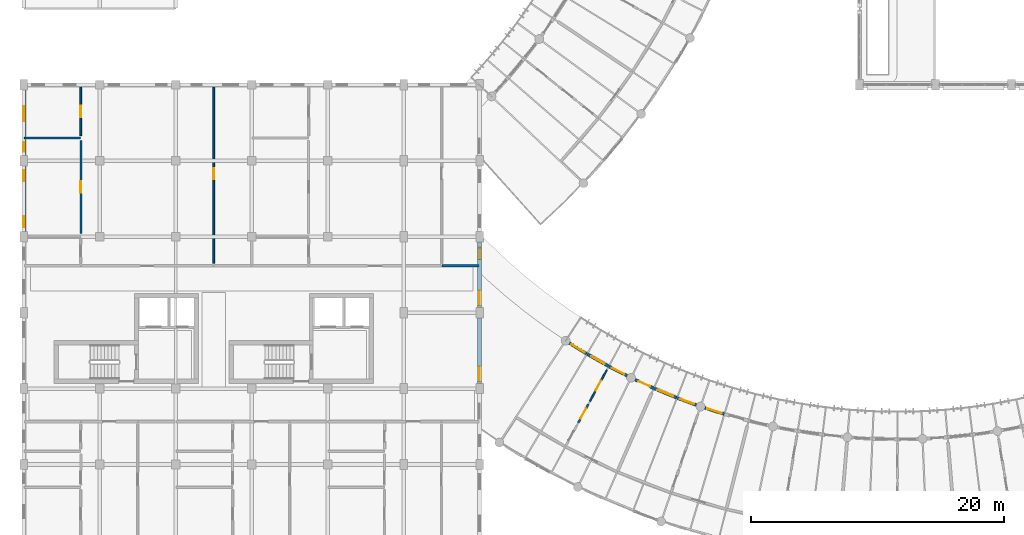
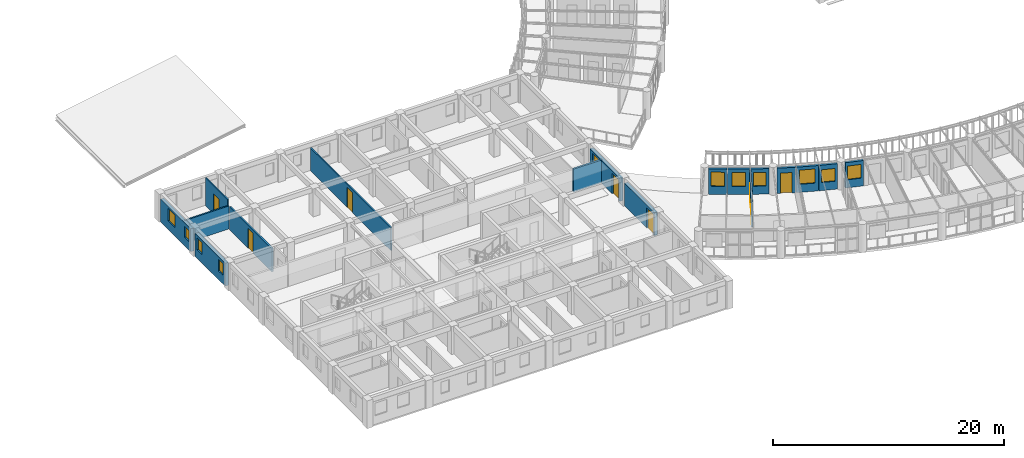
# One storey, part 90 of 137: 18 walls, 11 windows, 8 doors, 19 openings.
"""IFC4 building model written with IfcOpenShell, lengths in metres."""

from ifc_helpers import new_model, si_unit, direction, frame, frame_2d, origin, place, context, subcontext, project, spatial, rectangle, extrude, material, layer, layer_set, type_object, element, fill, save


model = new_model("IFC4")

# Units and contexts
model_context = context("Model", 3, precision=1e-05, world=origin(), true_north=direction((0.0, 1.0)))
body_context = subcontext(model_context, "Body", "Model", "MODEL_VIEW")
ifc_project = project(units=[si_unit("LENGTHUNIT", "METRE"), si_unit("AREAUNIT", "SQUARE_METRE"), si_unit("VOLUMEUNIT", "CUBIC_METRE"), si_unit("PLANEANGLEUNIT", "RADIAN"), si_unit("MASSUNIT", "GRAM", prefix="KILO"), si_unit("POWERUNIT", "WATT"), si_unit("THERMODYNAMICTEMPERATUREUNIT", "KELVIN")], contexts=[model_context])

# Site, building, storey
site_placement = place(None, origin())
site = spatial("IfcSite", under=ifc_project, at=site_placement, CompositionType="ELEMENT")
building_placement = place(site_placement, origin())
building = spatial("IfcBuilding", under=site, at=building_placement, Name="Ruvembo Vaulted Housing Court", CompositionType="ELEMENT")
storey_placement = place(building_placement, frame((0.0, 0.0, 4.5)))
storey = spatial("IfcBuildingStorey", under=building, at=storey_placement, Name="L01", CompositionType="ELEMENT", Elevation=4.5)

# Wall
ifc_material_1 = material(Name="Concrete Blockwork 190", Category="masonry")
ifc_layer_1 = layer(ifc_material_1, 0.18994140625, Name="Concrete Blockwork 190")
ifc_layer_set_1 = layer_set([ifc_layer_1], Name="Concrete Blockwork 190")
wall_type_1 = type_object("IfcWallType", Name="WL-CORR-190", PredefinedType="SOLIDWALL", material=ifc_layer_set_1)
wall_1_placement = place(storey_placement, frame((33.0400390625, 27.699951171875, 0.0), z_axis=(0.0, 0.0, 1.0), x_axis=(1.0, 0.0, 0.0)))
element("IfcWall", 1, at=wall_1_placement, inside=storey, type_object=wall_type_1, Name="L01 Flat A-L01-N2 Corridor Wall 2 WL-INT-L01-00224", PredefinedType="SOLIDWALL", context=body_context, shape_type="SweptSolid", body=[
    extrude(rectangle(XDim=2.919921875, YDim=0.18994140625, at=frame_2d((1.4599609375, 0.0))), origin(), (0.0, 0.0, 1.0), 2.427001953125),
])

# Wall, opening, window
ifc_material_2 = material(Name="Rendered Masonry 235", Category="masonry")
ifc_layer_2 = layer(ifc_material_2, 0.235107421875, Name="Rendered Masonry 235")
ifc_layer_set_2 = layer_set([ifc_layer_2], Name="Rendered Masonry 235")
wall_type_2 = type_object("IfcWallType", Name="WL-EXT-235", PredefinedType="STANDARD", material=ifc_layer_set_2)
wall_2_placement = place(storey_placement, frame((43.090576171875, 21.600341796875, 0.0), z_axis=(0.0, 0.0, 1.0), x_axis=(0.848934138406, -0.528498655296, 0.0)))
wall_2 = element("IfcWall", 2, at=wall_2_placement, inside=storey, type_object=wall_type_2, Name="Scoop SC2 L01 Concave Balcony Wall 0", PredefinedType="STANDARD", context=body_context, shape_type="SweptSolid", body=[
    extrude(rectangle(XDim=1.60986328125, YDim=0.235107421875, at=frame_2d((0.804931640625, 0.0))), origin(), (0.0, 0.0, 1.0), 2.68408203125),
])
opening_1_placement = place(wall_2_placement, frame((0.205078125, 0.0, 0.85009765625)))
opening_1 = element("IfcOpeningElement", 3, at=opening_1_placement, cuts=wall_2, Name="Opening W14", PredefinedType="OPENING", context=body_context, shape_type="SweptSolid", body=[
    extrude(rectangle(XDim=1.199951171875, YDim=1.5, at=frame_2d((0.60009765625, 0.75))), frame((0.0, 0.12744140625, 0.0), z_axis=(0.0, -1.0, 0.0), x_axis=(1.0, 0.0, 0.0)), (0.0, 0.0, 1.0), 0.255126953125),
])
ifc_material_3 = material(Name="Double Solar-Control Glazing in Aluminium Frame", Category="aluminium")
window_type_1 = type_object("IfcWindowType", Name="WIN-1200x1500", PartitioningType="SINGLE_PANEL", PredefinedType="WINDOW", material=ifc_material_3)
window_1_placement = place(opening_1_placement, origin())
window_1 = element("IfcWindow", 4, at=window_1_placement, inside=storey, type_object=window_type_1, Name="Scoop SC2 L01 Concave Window 0", OverallHeight=1.5, OverallWidth=1.199951171875, PartitioningType="SINGLE_PANEL", PredefinedType="WINDOW", context=body_context, shape_type="SweptSolid", body=[
    extrude(rectangle(XDim=1.199951171875, YDim=1.5, at=frame_2d((0.60009765625, 0.75))), frame((0.0, 0.030029296875, 0.0), z_axis=(0.0, -1.0, 0.0), x_axis=(1.0, 0.0, 0.0)), (0.0, 0.0, 1.0), 0.06005859375),
])
fill(opening_1, window_1)

wall_3_placement = place(storey_placement, frame((44.49169921875, 20.72900390625, 0.0), z_axis=(0.0, 0.0, 1.0), x_axis=(0.86993400964, -0.493168144623, 0.0)))
wall_3 = element("IfcWall", 5, at=wall_3_placement, inside=storey, type_object=wall_type_2, Name="Scoop SC2 L01 Concave Balcony Wall 1", PredefinedType="STANDARD", context=body_context, shape_type="SweptSolid", body=[
    extrude(rectangle(XDim=1.940185546875, YDim=0.235107421875, at=frame_2d((0.97021484375, 0.0))), origin(), (0.0, 0.0, 1.0), 2.68408203125),
])
opening_2_placement = place(wall_3_placement, frame((0.3701171875, 0.0, 0.85009765625)))
opening_2 = element("IfcOpeningElement", 6, at=opening_2_placement, cuts=wall_3, Name="Opening W14", PredefinedType="OPENING", context=body_context, shape_type="SweptSolid", body=[
    extrude(rectangle(XDim=1.199951171875, YDim=1.5, at=frame_2d((0.60009765625, 0.75))), frame((0.0, 0.12744140625, 0.0), z_axis=(0.0, -1.0, 0.0), x_axis=(1.0, 0.0, 0.0)), (0.0, 0.0, 1.0), 0.255126953125),
])
window_2_placement = place(opening_2_placement, origin())
window_2 = element("IfcWindow", 7, at=window_2_placement, inside=storey, type_object=window_type_1, Name="Scoop SC2 L01 Concave Window 1", OverallHeight=1.5, OverallWidth=1.199951171875, PartitioningType="SINGLE_PANEL", PredefinedType="WINDOW", context=body_context, shape_type="SweptSolid", body=[
    extrude(rectangle(XDim=1.199951171875, YDim=1.5, at=frame_2d((0.60009765625, 0.75))), frame((0.0, 0.030029296875, 0.0), z_axis=(0.0, -1.0, 0.0), x_axis=(1.0, 0.0, 0.0)), (0.0, 0.0, 1.0), 0.06005859375),
])
fill(opening_2, window_2)

wall_4_placement = place(storey_placement, frame((46.214599609375, 19.75341796875, 0.0), z_axis=(0.0, 0.0, 1.0), x_axis=(0.889553696252, -0.456830626693, 0.0)))
wall_4 = element("IfcWall", 8, at=wall_4_placement, inside=storey, type_object=wall_type_2, Name="Scoop SC2 L01 Concave Balcony Wall 2", PredefinedType="STANDARD", context=body_context, shape_type="SweptSolid", body=[
    extrude(rectangle(XDim=1.610107421875, YDim=0.235107421875, at=frame_2d((0.80517578125, 0.0))), origin(), (0.0, 0.0, 1.0), 2.68408203125),
])
opening_3_placement = place(wall_4_placement, frame((0.255126953125, 0.0, 0.85009765625)))
opening_3 = element("IfcOpeningElement", 9, at=opening_3_placement, cuts=wall_4, Name="Opening W10", PredefinedType="OPENING", context=body_context, shape_type="SweptSolid", body=[
    extrude(rectangle(XDim=1.10009765625, YDim=1.449951171875, at=frame_2d((0.550048828125, 0.72509765625))), frame((0.0, 0.12744140625, 0.0), z_axis=(0.0, -1.0, 0.0), x_axis=(1.0, 0.0, 0.0)), (0.0, 0.0, 1.0), 0.255126953125),
])
window_type_2 = type_object("IfcWindowType", Name="WIN-1100x1450", PartitioningType="SINGLE_PANEL", PredefinedType="WINDOW", material=ifc_material_3)
window_3_placement = place(opening_3_placement, origin())
window_3 = element("IfcWindow", 10, at=window_3_placement, inside=storey, type_object=window_type_2, Name="Scoop SC2 L01 Concave Window 2", OverallHeight=1.449951171875, OverallWidth=1.10009765625, PartitioningType="SINGLE_PANEL", PredefinedType="WINDOW", context=body_context, shape_type="SweptSolid", body=[
    extrude(rectangle(XDim=1.10009765625, YDim=1.449951171875, at=frame_2d((0.550048828125, 0.72509765625))), frame((0.0, 0.030029296875, 0.0), z_axis=(0.0, -1.0, 0.0), x_axis=(1.0, 0.0, 0.0)), (0.0, 0.0, 1.0), 0.06005859375),
])
fill(opening_3, window_3)

# Wall, opening, door
wall_5_placement = place(storey_placement, frame((48.27587890625, 18.7109375, 0.0), z_axis=(0.0, 0.0, 1.0), x_axis=(0.907630651946, -0.419769698344, 0.0)))
wall_5 = element("IfcWall", 11, at=wall_5_placement, inside=storey, type_object=wall_type_2, Name="Scoop SC2 L01 Concave Balcony Wall 3", PredefinedType="STANDARD", context=body_context, shape_type="SweptSolid", body=[
    extrude(rectangle(XDim=1.60986328125, YDim=0.235107421875, at=frame_2d((0.804931640625, 0.0))), origin(), (0.0, 0.0, 1.0), 2.68408203125),
])
opening_4_placement = place(wall_5_placement, frame((0.304931640625, 0.0, 0.0)))
opening_4 = element("IfcOpeningElement", 12, at=opening_4_placement, cuts=wall_5, Name="Opening BD1", PredefinedType="OPENING", context=body_context, shape_type="SweptSolid", body=[
    extrude(rectangle(XDim=1.0, YDim=2.14990234375, at=frame_2d((0.5, 1.074951171875))), frame((0.0, 0.12744140625, 0.0), z_axis=(0.0, -1.0, 0.0), x_axis=(1.0, 0.0, 0.0)), (0.0, 0.0, 1.0), 0.255126953125),
])
ifc_material_4 = material(Name="Thermally Broken Glazed Aluminium", Category="aluminium")
door_type_1 = type_object("IfcDoorType", Name="DR-BAL-1000x2150", OperationType="NOTDEFINED", PredefinedType="DOOR", material=ifc_material_4)
door_1_placement = place(opening_4_placement, origin())
door_1 = element("IfcDoor", 13, at=door_1_placement, inside=storey, type_object=door_type_1, Name="Scoop SC2 L01 Balcony Door 3", OperationType="SINGLE_SWING_RIGHT", OverallHeight=2.14990234375, OverallWidth=1.0, PredefinedType="DOOR", context=body_context, shape_type="SweptSolid", body=[
    extrude(rectangle(XDim=1.0, YDim=2.14990234375, at=frame_2d((0.5, 1.074951171875))), frame((0.0, 0.02490234375, 0.0), z_axis=(0.0, -1.0, 0.0), x_axis=(1.0, 0.0, 0.0)), (0.0, 0.0, 1.0), 0.050048828125),
])
fill(opening_4, door_1)

# Wall, opening, window
wall_6_placement = place(storey_placement, frame((49.773681640625, 18.019287109375, 0.0), z_axis=(0.0, 0.0, 1.0), x_axis=(0.92414555515, -0.382040564465, 0.0)))
wall_6 = element("IfcWall", 14, at=wall_6_placement, inside=storey, type_object=wall_type_2, Name="Scoop SC2 L01 Concave Balcony Wall 4", PredefinedType="STANDARD", context=body_context, shape_type="SweptSolid", body=[
    extrude(rectangle(XDim=1.940185546875, YDim=0.235107421875, at=frame_2d((0.97021484375, 0.0))), origin(), (0.0, 0.0, 1.0), 2.68408203125),
])
opening_5_placement = place(wall_6_placement, frame((0.294921875, 0.0, 0.85009765625)))
opening_5 = element("IfcOpeningElement", 15, at=opening_5_placement, cuts=wall_6, Name="Opening W16", PredefinedType="OPENING", context=body_context, shape_type="SweptSolid", body=[
    extrude(rectangle(XDim=1.35009765625, YDim=1.5, at=frame_2d((0.675048828125, 0.75))), frame((0.0, 0.12744140625, 0.0), z_axis=(0.0, -1.0, 0.0), x_axis=(1.0, 0.0, 0.0)), (0.0, 0.0, 1.0), 0.255126953125),
])
window_type_3 = type_object("IfcWindowType", Name="WIN-1350x1500", PartitioningType="SINGLE_PANEL", PredefinedType="WINDOW", material=ifc_material_3)
window_4_placement = place(opening_5_placement, origin())
window_4 = element("IfcWindow", 16, at=window_4_placement, inside=storey, type_object=window_type_3, Name="Scoop SC2 L01 Concave Window 4", OverallHeight=1.5, OverallWidth=1.35009765625, PartitioningType="SINGLE_PANEL", PredefinedType="WINDOW", context=body_context, shape_type="SweptSolid", body=[
    extrude(rectangle(XDim=1.35009765625, YDim=1.5, at=frame_2d((0.675048828125, 0.75))), frame((0.0, 0.030029296875, 0.0), z_axis=(0.0, -1.0, 0.0), x_axis=(1.0, 0.0, 0.0)), (0.0, 0.0, 1.0), 0.06005859375),
])
fill(opening_5, window_4)

wall_7_placement = place(storey_placement, frame((51.60400390625, 17.263671875, 0.0), z_axis=(0.0, 0.0, 1.0), x_axis=(0.939176538502, -0.34343475294, 0.0)))
wall_7 = element("IfcWall", 17, at=wall_7_placement, inside=storey, type_object=wall_type_2, Name="Scoop SC2 L01 Concave Balcony Wall 5", PredefinedType="STANDARD", context=body_context, shape_type="SweptSolid", body=[
    extrude(rectangle(XDim=1.610107421875, YDim=0.235107421875, at=frame_2d((0.80517578125, 0.0))), origin(), (0.0, 0.0, 1.0), 2.68408203125),
])
opening_6_placement = place(wall_7_placement, frame((0.205078125, 0.0, 0.85009765625)))
opening_6 = element("IfcOpeningElement", 18, at=opening_6_placement, cuts=wall_7, Name="Opening W12", PredefinedType="OPENING", context=body_context, shape_type="SweptSolid", body=[
    extrude(rectangle(XDim=1.199951171875, YDim=1.35009765625, at=frame_2d((0.60009765625, 0.675048828125))), frame((0.0, 0.12744140625, 0.0), z_axis=(0.0, -1.0, 0.0), x_axis=(1.0, 0.0, 0.0)), (0.0, 0.0, 1.0), 0.255126953125),
])
window_type_4 = type_object("IfcWindowType", Name="WIN-1200x1350", PartitioningType="SINGLE_PANEL", PredefinedType="WINDOW", material=ifc_material_3)
window_5_placement = place(opening_6_placement, origin())
window_5 = element("IfcWindow", 19, at=window_5_placement, inside=storey, type_object=window_type_4, Name="Scoop SC2 L01 Concave Window 5", OverallHeight=1.35009765625, OverallWidth=1.199951171875, PartitioningType="SINGLE_PANEL", PredefinedType="WINDOW", context=body_context, shape_type="SweptSolid", body=[
    extrude(rectangle(XDim=1.199951171875, YDim=1.35009765625, at=frame_2d((0.60009765625, 0.675048828125))), frame((0.0, 0.030029296875, 0.0), z_axis=(0.0, -1.0, 0.0), x_axis=(1.0, 0.0, 0.0)), (0.0, 0.0, 1.0), 0.06005859375),
])
fill(opening_6, window_5)

wall_8_placement = place(storey_placement, frame((53.7783203125, 16.48388671875, 0.0), z_axis=(0.0, 0.0, 1.0), x_axis=(0.952508629145, -0.304511594861, 0.0)))
wall_8 = element("IfcWall", 20, at=wall_8_placement, inside=storey, type_object=wall_type_2, Name="Scoop SC2 L01 Concave Balcony Wall 6", PredefinedType="STANDARD", context=body_context, shape_type="SweptSolid", body=[
    extrude(rectangle(XDim=1.60986328125, YDim=0.235107421875, at=frame_2d((0.804931640625, 0.0))), origin(), (0.0, 0.0, 1.0), 2.68408203125),
])
opening_7_placement = place(wall_8_placement, frame((0.205078125, 0.0, 0.85009765625)))
opening_7 = element("IfcOpeningElement", 21, at=opening_7_placement, cuts=wall_8, Name="Opening W13", PredefinedType="OPENING", context=body_context, shape_type="SweptSolid", body=[
    extrude(rectangle(XDim=1.199951171875, YDim=1.449951171875, at=frame_2d((0.60009765625, 0.72509765625))), frame((0.0, 0.12744140625, 0.0), z_axis=(0.0, -1.0, 0.0), x_axis=(1.0, 0.0, 0.0)), (0.0, 0.0, 1.0), 0.255126953125),
])
window_type_5 = type_object("IfcWindowType", Name="WIN-1200x1450", PartitioningType="SINGLE_PANEL", PredefinedType="WINDOW", material=ifc_material_3)
window_6_placement = place(opening_7_placement, origin())
window_6 = element("IfcWindow", 22, at=window_6_placement, inside=storey, type_object=window_type_5, Name="Scoop SC2 L01 Concave Window 6", OverallHeight=1.449951171875, OverallWidth=1.199951171875, PartitioningType="SINGLE_PANEL", PredefinedType="WINDOW", context=body_context, shape_type="SweptSolid", body=[
    extrude(rectangle(XDim=1.199951171875, YDim=1.449951171875, at=frame_2d((0.60009765625, 0.72509765625))), frame((0.0, 0.030029296875, 0.0), z_axis=(0.0, -1.0, 0.0), x_axis=(1.0, 0.0, 0.0)), (0.0, 0.0, 1.0), 0.06005859375),
])
fill(opening_7, window_6)

# Wall, opening, door
ifc_material_5 = material(Name="Rendered Masonry 320", Category="masonry")
ifc_layer_3 = layer(ifc_material_5, 0.320068359375, Name="Rendered Masonry 320")
ifc_layer_set_3 = layer_set([ifc_layer_3], Name="Rendered Masonry 320")
wall_type_3 = type_object("IfcWallType", Name="WL-EXT-320", PredefinedType="STANDARD", material=ifc_layer_set_3)
wall_9_placement = place(storey_placement, frame((36.0, 18.39990234375, 0.0), z_axis=(0.0, 0.0, 1.0), x_axis=(0.0, 1.0, 0.0)))
wall_9 = element("IfcWall", 23, at=wall_9_placement, inside=storey, type_object=wall_type_3, Name="Block A L01 Exterior Wall EAST #3", PredefinedType="STANDARD", context=body_context, shape_type="SweptSolid", body=[
    extrude(rectangle(XDim=5.2001953125, YDim=0.320068359375, at=frame_2d((2.60009765625, 0.0))), origin(), (0.0, 0.0, 1.0), 2.427001953125),
])
opening_8_placement = place(wall_9_placement, frame((0.199951171875, 0.0, 0.0)))
opening_8 = element("IfcOpeningElement", 24, at=opening_8_placement, cuts=wall_9, Name="Opening GD1", PredefinedType="OPENING", context=body_context, shape_type="SweptSolid", body=[
    extrude(rectangle(XDim=1.14990234375, YDim=2.14990234375, at=frame_2d((0.574951171875, 1.074951171875))), frame((0.0, 0.169921875, 0.0), z_axis=(0.0, -1.0, 0.0), x_axis=(1.0, 0.0, 0.0)), (0.0, 0.0, 1.0), 0.340087890625),
])
door_type_2 = type_object("IfcDoorType", Name="DR-GAL-1150x2150", OperationType="NOTDEFINED", PredefinedType="DOOR", material=ifc_material_4)
door_2_placement = place(opening_8_placement, frame((1.14990234375, 0.0, 0.0), z_axis=(0.0, 0.0, 1.0), x_axis=(-1.0, 0.0, 0.0)))
door_2 = element("IfcDoor", 25, at=door_2_placement, inside=storey, type_object=door_type_2, Name="Block A L01 Terrace or Gallery Door DR-TER-A-L01-004", OperationType="SINGLE_SWING_LEFT", OverallHeight=2.14990234375, OverallWidth=1.14990234375, PredefinedType="DOOR", context=body_context, shape_type="SweptSolid", body=[
    extrude(rectangle(XDim=1.14990234375, YDim=2.14990234375, at=frame_2d((0.574951171875, 1.074951171875))), frame((0.0, 0.02490234375, 0.0), z_axis=(0.0, -1.0, 0.0), x_axis=(1.0, 0.0, 0.0)), (0.0, 0.0, 1.0), 0.050048828125),
])
fill(opening_8, door_2)

# Wall, openings, door, window
wall_10_placement = place(storey_placement, frame((36.0, 24.39990234375, 0.0), z_axis=(0.0, 0.0, 1.0), x_axis=(0.0, 1.0, 0.0)))
wall_10 = element("IfcWall", 26, at=wall_10_placement, inside=storey, type_object=wall_type_3, Name="Block A L01 Exterior Wall EAST #4", PredefinedType="STANDARD", context=body_context, shape_type="SweptSolid", body=[
    extrude(rectangle(XDim=5.2001953125, YDim=0.320068359375, at=frame_2d((2.60009765625, 0.0))), origin(), (0.0, 0.0, 1.0), 2.427001953125),
])
opening_9_placement = place(wall_10_placement, frame((0.199951171875, 0.0, 0.0)))
opening_9 = element("IfcOpeningElement", 27, at=opening_9_placement, cuts=wall_10, Name="Opening GD1", PredefinedType="OPENING", context=body_context, shape_type="SweptSolid", body=[
    extrude(rectangle(XDim=1.14990234375, YDim=2.14990234375, at=frame_2d((0.574951171875, 1.074951171875))), frame((0.0, 0.169921875, 0.0), z_axis=(0.0, -1.0, 0.0), x_axis=(1.0, 0.0, 0.0)), (0.0, 0.0, 1.0), 0.340087890625),
])
opening_10_placement = place(wall_10_placement, frame((3.820068359375, 0.0, 0.89990234375)))
opening_10 = element("IfcOpeningElement", 28, at=opening_10_placement, cuts=wall_10, Name="Opening W04", PredefinedType="OPENING", context=body_context, shape_type="SweptSolid", body=[
    extrude(rectangle(XDim=0.89990234375, YDim=1.300048828125, at=frame_2d((0.449951171875, 0.64990234375))), frame((0.0, 0.169921875, 0.0), z_axis=(0.0, -1.0, 0.0), x_axis=(1.0, 0.0, 0.0)), (0.0, 0.0, 1.0), 0.340087890625),
])
door_3_placement = place(opening_9_placement, frame((1.14990234375, 0.0, 0.0), z_axis=(0.0, 0.0, 1.0), x_axis=(-1.0, 0.0, 0.0)))
door_3 = element("IfcDoor", 29, at=door_3_placement, inside=storey, type_object=door_type_2, Name="Block A L01 Terrace or Gallery Door DR-TER-A-L01-005", OperationType="SINGLE_SWING_RIGHT", OverallHeight=2.14990234375, OverallWidth=1.14990234375, PredefinedType="DOOR", context=body_context, shape_type="SweptSolid", body=[
    extrude(rectangle(XDim=1.14990234375, YDim=2.14990234375, at=frame_2d((0.574951171875, 1.074951171875))), frame((0.0, 0.02490234375, 0.0), z_axis=(0.0, -1.0, 0.0), x_axis=(1.0, 0.0, 0.0)), (0.0, 0.0, 1.0), 0.050048828125),
])
fill(opening_9, door_3)
window_type_6 = type_object("IfcWindowType", Name="WIN-0900x1300", PartitioningType="SINGLE_PANEL", PredefinedType="WINDOW", material=ifc_material_3)
window_7_placement = place(opening_10_placement, origin())
window_7 = element("IfcWindow", 30, at=window_7_placement, inside=storey, type_object=window_type_6, Name="Block A L01 Window #56", OverallHeight=1.300048828125, OverallWidth=0.89990234375, PartitioningType="SINGLE_PANEL", PredefinedType="WINDOW", context=body_context, shape_type="SweptSolid", body=[
    extrude(rectangle(XDim=0.89990234375, YDim=1.300048828125, at=frame_2d((0.449951171875, 0.64990234375))), frame((0.0, 0.030029296875, 0.0), z_axis=(0.0, -1.0, 0.0), x_axis=(1.0, 0.0, 0.0)), (0.0, 0.0, 1.0), 0.06005859375),
])
fill(opening_10, window_7)

# Wall, openings, windows
wall_11_placement = place(storey_placement, frame((0.0, 41.60009765625, 0.0), z_axis=(0.0, 0.0, 1.0), x_axis=(0.0, -1.0, 0.0)))
wall_11 = element("IfcWall", 31, at=wall_11_placement, inside=storey, type_object=wall_type_3, Name="Block A L01 Exterior Wall WEST #1", PredefinedType="STANDARD", context=body_context, shape_type="SweptSolid", body=[
    extrude(rectangle(XDim=5.2001953125, YDim=0.320068359375, at=frame_2d((2.60009765625, 0.0))), origin(), (0.0, 0.0, 1.0), 2.427001953125),
])
opening_11_placement = place(wall_11_placement, frame((1.280029296875, 0.0, 0.89990234375)))
opening_11 = element("IfcOpeningElement", 32, at=opening_11_placement, cuts=wall_11, Name="Opening W12", PredefinedType="OPENING", context=body_context, shape_type="SweptSolid", body=[
    extrude(rectangle(XDim=1.199951171875, YDim=1.35009765625, at=frame_2d((0.60009765625, 0.675048828125))), frame((0.0, 0.169921875, 0.0), z_axis=(0.0, -1.0, 0.0), x_axis=(1.0, 0.0, 0.0)), (0.0, 0.0, 1.0), 0.340087890625),
])
opening_12_placement = place(wall_11_placement, frame((4.14501953125, 0.0, 0.89990234375)))
opening_12 = element("IfcOpeningElement", 33, at=opening_12_placement, cuts=wall_11, Name="Opening W01", PredefinedType="OPENING", context=body_context, shape_type="SweptSolid", body=[
    extrude(rectangle(XDim=0.75, YDim=1.14990234375, at=frame_2d((0.375, 0.574951171875))), frame((0.0, 0.169921875, 0.0), z_axis=(0.0, -1.0, 0.0), x_axis=(1.0, 0.0, 0.0)), (0.0, 0.0, 1.0), 0.340087890625),
])
window_type_7 = type_object("IfcWindowType", Name="WIN-0750x1150", PartitioningType="SINGLE_PANEL", PredefinedType="WINDOW", material=ifc_material_3)
window_8_placement = place(opening_12_placement, origin())
window_8 = element("IfcWindow", 34, at=window_8_placement, inside=storey, type_object=window_type_7, Name="Block A L01 Window #72", OverallHeight=1.14990234375, OverallWidth=0.75, PartitioningType="SINGLE_PANEL", PredefinedType="WINDOW", context=body_context, shape_type="SweptSolid", body=[
    extrude(rectangle(XDim=0.75, YDim=1.14990234375, at=frame_2d((0.375, 0.574951171875))), frame((0.0, 0.030029296875, 0.0), z_axis=(0.0, -1.0, 0.0), x_axis=(1.0, 0.0, 0.0)), (0.0, 0.0, 1.0), 0.06005859375),
])
fill(opening_12, window_8)
window_9_placement = place(opening_11_placement, origin())
window_9 = element("IfcWindow", 35, at=window_9_placement, inside=storey, type_object=window_type_4, Name="Block A L01 Window #71", OverallHeight=1.35009765625, OverallWidth=1.199951171875, PartitioningType="SINGLE_PANEL", PredefinedType="WINDOW", context=body_context, shape_type="SweptSolid", body=[
    extrude(rectangle(XDim=1.199951171875, YDim=1.35009765625, at=frame_2d((0.60009765625, 0.675048828125))), frame((0.0, 0.030029296875, 0.0), z_axis=(0.0, -1.0, 0.0), x_axis=(1.0, 0.0, 0.0)), (0.0, 0.0, 1.0), 0.06005859375),
])
fill(opening_11, window_9)

wall_12_placement = place(storey_placement, frame((0.0, 35.60009765625, 0.0), z_axis=(0.0, 0.0, 1.0), x_axis=(0.0, -1.0, 0.0)))
wall_12 = element("IfcWall", 36, at=wall_12_placement, inside=storey, type_object=wall_type_3, Name="Block A L01 Exterior Wall WEST #2", PredefinedType="STANDARD", context=body_context, shape_type="SweptSolid", body=[
    extrude(rectangle(XDim=5.2001953125, YDim=0.320068359375, at=frame_2d((2.60009765625, 0.0))), origin(), (0.0, 0.0, 1.0), 2.427001953125),
])
opening_13_placement = place(wall_12_placement, frame((0.35009765625, 0.0, 0.89990234375)))
opening_13 = element("IfcOpeningElement", 37, at=opening_13_placement, cuts=wall_12, Name="Opening W03", PredefinedType="OPENING", context=body_context, shape_type="SweptSolid", body=[
    extrude(rectangle(XDim=0.85009765625, YDim=1.25, at=frame_2d((0.425048828125, 0.625))), frame((0.0, 0.169921875, 0.0), z_axis=(0.0, -1.0, 0.0), x_axis=(1.0, 0.0, 0.0)), (0.0, 0.0, 1.0), 0.340087890625),
])
opening_14_placement = place(wall_12_placement, frame((4.0, 0.0, 0.89990234375)))
opening_14 = element("IfcOpeningElement", 38, at=opening_14_placement, cuts=wall_12, Name="Opening W03", PredefinedType="OPENING", context=body_context, shape_type="SweptSolid", body=[
    extrude(rectangle(XDim=0.85009765625, YDim=1.25, at=frame_2d((0.425048828125, 0.625))), frame((0.0, 0.169921875, 0.0), z_axis=(0.0, -1.0, 0.0), x_axis=(1.0, 0.0, 0.0)), (0.0, 0.0, 1.0), 0.340087890625),
])
window_type_8 = type_object("IfcWindowType", Name="WIN-0850x1250", PartitioningType="SINGLE_PANEL", PredefinedType="WINDOW", material=ifc_material_3)
window_10_placement = place(opening_13_placement, origin())
window_10 = element("IfcWindow", 39, at=window_10_placement, inside=storey, type_object=window_type_8, Name="Block A L01 Window #73", OverallHeight=1.25, OverallWidth=0.85009765625, PartitioningType="SINGLE_PANEL", PredefinedType="WINDOW", context=body_context, shape_type="SweptSolid", body=[
    extrude(rectangle(XDim=0.85009765625, YDim=1.25, at=frame_2d((0.425048828125, 0.625))), frame((0.0, 0.030029296875, 0.0), z_axis=(0.0, -1.0, 0.0), x_axis=(1.0, 0.0, 0.0)), (0.0, 0.0, 1.0), 0.06005859375),
])
fill(opening_13, window_10)
window_11_placement = place(opening_14_placement, origin())
window_11 = element("IfcWindow", 40, at=window_11_placement, inside=storey, type_object=window_type_8, Name="Block A L01 Window #74", OverallHeight=1.25, OverallWidth=0.85009765625, PartitioningType="SINGLE_PANEL", PredefinedType="WINDOW", context=body_context, shape_type="SweptSolid", body=[
    extrude(rectangle(XDim=0.85009765625, YDim=1.25, at=frame_2d((0.425048828125, 0.625))), frame((0.0, 0.030029296875, 0.0), z_axis=(0.0, -1.0, 0.0), x_axis=(1.0, 0.0, 0.0)), (0.0, 0.0, 1.0), 0.06005859375),
])
fill(opening_14, window_11)

# Wall, opening, door
ifc_material_6 = material(Name="Plasterboard Stud Partition 125", Category="gypsum")
ifc_layer_4 = layer(ifc_material_6, 0.125, Name="Plasterboard Stud Partition 125")
ifc_layer_set_4 = layer_set([ifc_layer_4], Name="Plasterboard Stud Partition 125")
wall_type_4 = type_object("IfcWallType", Name="WL-PART-125", PredefinedType="PARTITIONING", material=ifc_layer_set_4)
wall_13_placement = place(storey_placement, frame((46.041015625, 19.473876953125, 0.0), z_axis=(0.0, 0.0, 1.0), x_axis=(-0.475103009949, -0.879930184695, 0.0)))
wall_13 = element("IfcWall", 41, at=wall_13_placement, inside=storey, type_object=wall_type_4, Name="L01 Suite SC2-L01-U1 Bedroom WL-INT-L01-00401", PredefinedType="PARTITIONING", context=body_context, shape_type="SweptSolid", body=[
    extrude(rectangle(XDim=2.800048828125, YDim=0.125, at=frame_2d((1.39990234375, 0.0))), origin(), (0.0, 0.0, 1.0), 2.761962890625),
])
opening_15_placement = place(wall_13_placement, frame((0.9599609375, 0.0, 0.0)))
opening_15 = element("IfcOpeningElement", 42, at=opening_15_placement, cuts=wall_13, Name="Opening ID3", PredefinedType="OPENING", context=body_context, shape_type="SweptSolid", body=[
    extrude(rectangle(XDim=0.8798828125, YDim=2.10009765625, at=frame_2d((0.43994140625, 1.050048828125))), frame((0.0, 0.072509765625, 0.0), z_axis=(0.0, -1.0, 0.0), x_axis=(1.0, 0.0, 0.0)), (0.0, 0.0, 1.0), 0.14501953125),
])
ifc_material_7 = material(Name="FSC Hardwood and Engineered Timber", Category="wood")
door_type_3 = type_object("IfcDoorType", Name="DR-ROOM-0880x2100", OperationType="NOTDEFINED", PredefinedType="DOOR", material=ifc_material_7)
door_4_placement = place(opening_15_placement, origin())
door_4 = element("IfcDoor", 43, at=door_4_placement, inside=storey, type_object=door_type_3, Name="L01 Suite SC2-L01-U1 Bedroom Door DR-INT-L01-00209", OperationType="SINGLE_SWING_LEFT", OverallHeight=2.10009765625, OverallWidth=0.8798828125, PredefinedType="DOOR", context=body_context, shape_type="SweptSolid", body=[
    extrude(rectangle(XDim=0.8798828125, YDim=2.10009765625, at=frame_2d((0.43994140625, 1.050048828125))), frame((0.0, 0.02490234375, 0.0), z_axis=(0.0, -1.0, 0.0), x_axis=(1.0, 0.0, 0.0)), (0.0, 0.0, 1.0), 0.050048828125),
])
fill(opening_15, door_4)

ifc_material_8 = material(Name="Acoustic Stud Partition 135", Category="gypsum")
ifc_layer_5 = layer(ifc_material_8, 0.135009765625, Name="Acoustic Stud Partition 135")
ifc_layer_set_5 = layer_set([ifc_layer_5], Name="Acoustic Stud Partition 135")
wall_type_5 = type_object("IfcWallType", Name="WL-PART-135", PredefinedType="PARTITIONING", material=ifc_layer_set_5)
wall_14_placement = place(storey_placement, frame((4.5, 37.989990234375, 0.0), z_axis=(0.0, 0.0, 1.0), x_axis=(0.0, 1.0, 0.0)))
wall_14 = element("IfcWall", 44, at=wall_14_placement, inside=storey, type_object=wall_type_5, Name="L01 Flat A-L01-N1 Bedroom 1 WL-INT-L01-00210", PredefinedType="PARTITIONING", context=body_context, shape_type="SweptSolid", body=[
    extrude(rectangle(XDim=3.820068359375, YDim=0.135009765625, at=frame_2d((1.91015625, 0.0))), origin(), (0.0, 0.0, 1.0), 2.945068359375),
])
opening_16_placement = place(wall_14_placement, frame((1.4599609375, 0.0, 0.0)))
opening_16 = element("IfcOpeningElement", 45, at=opening_16_placement, cuts=wall_14, Name="Opening ID1", PredefinedType="OPENING", context=body_context, shape_type="SweptSolid", body=[
    extrude(rectangle(XDim=0.89990234375, YDim=2.10009765625, at=frame_2d((0.449951171875, 1.050048828125))), frame((0.0, 0.077392578125, 0.0), z_axis=(0.0, -1.0, 0.0), x_axis=(1.0, 0.0, 0.0)), (0.0, 0.0, 1.0), 0.155029296875),
])
door_type_4 = type_object("IfcDoorType", Name="DR-ROOM-0900x2100", OperationType="NOTDEFINED", PredefinedType="DOOR", material=ifc_material_7)
door_5_placement = place(opening_16_placement, origin())
door_5 = element("IfcDoor", 46, at=door_5_placement, inside=storey, type_object=door_type_4, Name="L01 Flat A-L01-N1 Bedroom 1 Door DR-INT-L01-00104", OperationType="SINGLE_SWING_RIGHT", OverallHeight=2.10009765625, OverallWidth=0.89990234375, PredefinedType="DOOR", context=body_context, shape_type="SweptSolid", body=[
    extrude(rectangle(XDim=0.89990234375, YDim=2.10009765625, at=frame_2d((0.449951171875, 1.050048828125))), frame((0.0, 0.02490234375, 0.0), z_axis=(0.0, -1.0, 0.0), x_axis=(1.0, 0.0, 0.0)), (0.0, 0.0, 1.0), 0.050048828125),
])
fill(opening_16, door_5)

wall_15_placement = place(storey_placement, frame((15.0, 27.889892578125, 0.0), z_axis=(0.0, 0.0, 1.0), x_axis=(0.0, 1.0, 0.0)))
wall_15 = element("IfcWall", 47, at=wall_15_placement, inside=storey, type_object=wall_type_5, Name="L01 Flat A-L01-N1 Bedroom 2 WL-INT-L01-00216", PredefinedType="PARTITIONING", context=body_context, shape_type="SweptSolid", body=[
    extrude(rectangle(XDim=13.920166015625, YDim=0.135009765625, at=frame_2d((6.9599609375, 0.0))), origin(), (0.0, 0.0, 1.0), 2.427001953125),
])
opening_17_placement = place(wall_15_placement, frame((6.64990234375, 0.0, 0.0)))
opening_17 = element("IfcOpeningElement", 48, at=opening_17_placement, cuts=wall_15, Name="Opening ID3", PredefinedType="OPENING", context=body_context, shape_type="SweptSolid", body=[
    extrude(rectangle(XDim=0.8798828125, YDim=2.10009765625, at=frame_2d((0.43994140625, 1.050048828125))), frame((0.0, 0.077392578125, 0.0), z_axis=(0.0, -1.0, 0.0), x_axis=(1.0, 0.0, 0.0)), (0.0, 0.0, 1.0), 0.155029296875),
])
door_6_placement = place(opening_17_placement, origin())
door_6 = element("IfcDoor", 49, at=door_6_placement, inside=storey, type_object=door_type_3, Name="L01 Flat A-L01-N1 Bedroom 2 Door DR-INT-L01-00107", OperationType="SINGLE_SWING_LEFT", OverallHeight=2.10009765625, OverallWidth=0.8798828125, PredefinedType="DOOR", context=body_context, shape_type="SweptSolid", body=[
    extrude(rectangle(XDim=0.8798828125, YDim=2.10009765625, at=frame_2d((0.43994140625, 1.050048828125))), frame((0.0, 0.02490234375, 0.0), z_axis=(0.0, -1.0, 0.0), x_axis=(1.0, 0.0, 0.0)), (0.0, 0.0, 1.0), 0.050048828125),
])
fill(opening_17, door_6)

# Wall
ifc_material_9 = material(Name="Moisture-Resistant Wet Partition 150", Category="gypsum")
ifc_layer_6 = layer(ifc_material_9, 0.14990234375, Name="Moisture-Resistant Wet Partition 150")
ifc_layer_set_6 = layer_set([ifc_layer_6], Name="Moisture-Resistant Wet Partition 150")
wall_type_6 = type_object("IfcWallType", Name="WL-PART-150", PredefinedType="PARTITIONING", material=ifc_layer_set_6)
wall_16_placement = place(storey_placement, frame((0.0400390625, 37.800048828125, 0.0), z_axis=(0.0, 0.0, 1.0), x_axis=(1.0, 0.0, 0.0)))
element("IfcWall", 50, at=wall_16_placement, inside=storey, type_object=wall_type_6, Name="L01 Flat A-L01-N1 Wet Wall 1 WL-INT-L01-00213", PredefinedType="PARTITIONING", context=body_context, shape_type="SweptSolid", body=[
    extrude(rectangle(XDim=4.419921875, YDim=0.14990234375, at=frame_2d((2.2099609375, 0.0))), origin(), (0.0, 0.0, 1.0), 2.427001953125),
])

# Wall, opening, door
ifc_material_10 = material(Name="Acoustic Service Chase Wall 160", Category="gypsum")
ifc_layer_7 = layer(ifc_material_10, 0.159912109375, Name="Acoustic Service Chase Wall 160")
ifc_layer_set_7 = layer_set([ifc_layer_7], Name="Acoustic Service Chase Wall 160")
wall_type_7 = type_object("IfcWallType", Name="WL-PLUMB-160", PredefinedType="PLUMBINGWALL", material=ifc_layer_set_7)
wall_17_placement = place(storey_placement, frame((4.5, 30.239990234375, 0.0), z_axis=(0.0, 0.0, 1.0), x_axis=(0.0, 1.0, 0.0)))
wall_17 = element("IfcWall", 51, at=wall_17_placement, inside=storey, type_object=wall_type_7, Name="L01 Flat A-L01-N1 Kitchen WL-INT-L01-00211", PredefinedType="PLUMBINGWALL", context=body_context, shape_type="SweptSolid", body=[
    extrude(rectangle(XDim=7.3701171875, YDim=0.159912109375, at=frame_2d((3.68505859375, 0.0))), origin(), (0.0, 0.0, 1.0), 2.427001953125),
])
opening_18_placement = place(wall_17_placement, frame((3.2451171875, 0.0, 0.0)))
opening_18 = element("IfcOpeningElement", 52, at=opening_18_placement, cuts=wall_17, Name="Opening ID3", PredefinedType="OPENING", context=body_context, shape_type="SweptSolid", body=[
    extrude(rectangle(XDim=0.8798828125, YDim=2.10009765625, at=frame_2d((0.43994140625, 1.050048828125))), frame((0.0, 0.08984375, 0.0), z_axis=(0.0, -1.0, 0.0), x_axis=(1.0, 0.0, 0.0)), (0.0, 0.0, 1.0), 0.179931640625),
])
door_7_placement = place(opening_18_placement, origin())
door_7 = element("IfcDoor", 53, at=door_7_placement, inside=storey, type_object=door_type_3, Name="L01 Flat A-L01-N1 Kitchen Door DR-INT-L01-00105", OperationType="SINGLE_SWING_LEFT", OverallHeight=2.10009765625, OverallWidth=0.8798828125, PredefinedType="DOOR", context=body_context, shape_type="SweptSolid", body=[
    extrude(rectangle(XDim=0.8798828125, YDim=2.10009765625, at=frame_2d((0.43994140625, 1.050048828125))), frame((0.0, 0.02490234375, 0.0), z_axis=(0.0, -1.0, 0.0), x_axis=(1.0, 0.0, 0.0)), (0.0, 0.0, 1.0), 0.050048828125),
])
fill(opening_18, door_7)

wall_18_placement = place(storey_placement, frame((44.58154296875, 16.7705078125, 0.0), z_axis=(0.0, 0.0, 1.0), x_axis=(-0.475080097018, -0.879942555749, 0.0)))
wall_18 = element("IfcWall", 54, at=wall_18_placement, inside=storey, type_object=wall_type_7, Name="L01 Suite SC2-L01-U1 Kitchen WL-INT-L01-00402", PredefinedType="PLUMBINGWALL", context=body_context, shape_type="SweptSolid", body=[
    extrude(rectangle(XDim=1.64794921875, YDim=0.159912109375, at=frame_2d((0.823974609375, 0.0))), origin(), (0.0, 0.0, 1.0), 2.761962890625),
])
opening_19_placement = place(wall_18_placement, frame((0.3740234375, 0.0, 0.0)))
opening_19 = element("IfcOpeningElement", 55, at=opening_19_placement, cuts=wall_18, Name="Opening ID1", PredefinedType="OPENING", context=body_context, shape_type="SweptSolid", body=[
    extrude(rectangle(XDim=0.89990234375, YDim=2.10009765625, at=frame_2d((0.449951171875, 1.050048828125))), frame((0.0, 0.08984375, 0.0), z_axis=(0.0, -1.0, 0.0), x_axis=(1.0, 0.0, 0.0)), (0.0, 0.0, 1.0), 0.179931640625),
])
door_8_placement = place(opening_19_placement, origin())
door_8 = element("IfcDoor", 56, at=door_8_placement, inside=storey, type_object=door_type_4, Name="L01 Suite SC2-L01-U1 Kitchen Door DR-INT-L01-00210", OperationType="SINGLE_SWING_RIGHT", OverallHeight=2.10009765625, OverallWidth=0.89990234375, PredefinedType="DOOR", context=body_context, shape_type="SweptSolid", body=[
    extrude(rectangle(XDim=0.89990234375, YDim=2.10009765625, at=frame_2d((0.449951171875, 1.050048828125))), frame((0.0, 0.02490234375, 0.0), z_axis=(0.0, -1.0, 0.0), x_axis=(1.0, 0.0, 0.0)), (0.0, 0.0, 1.0), 0.050048828125),
])
fill(opening_19, door_8)

save(model, "model.ifc")
